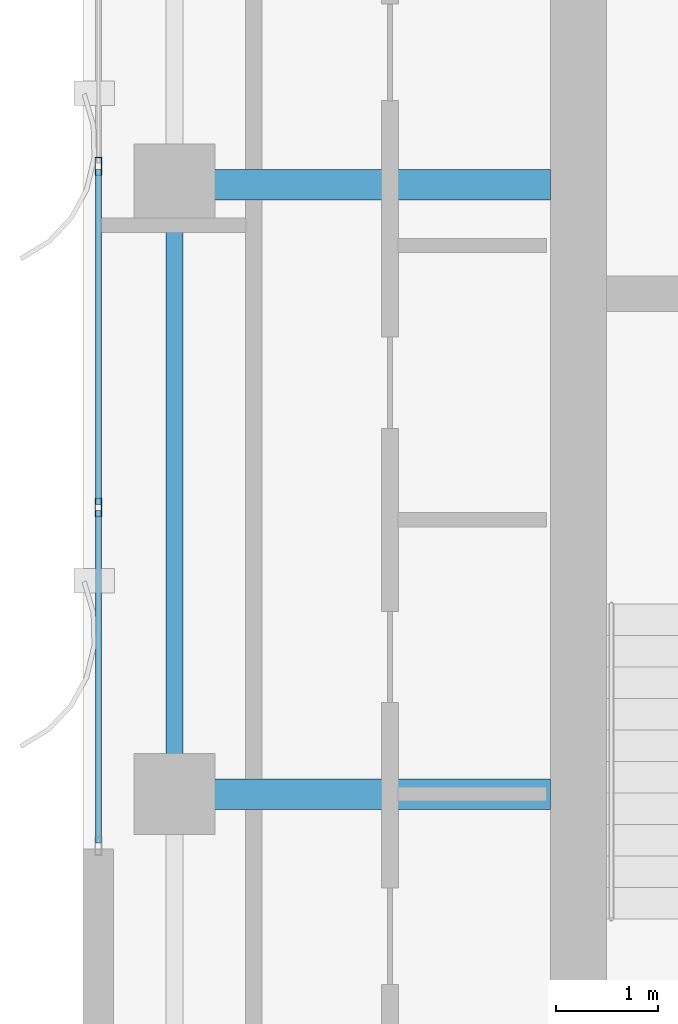
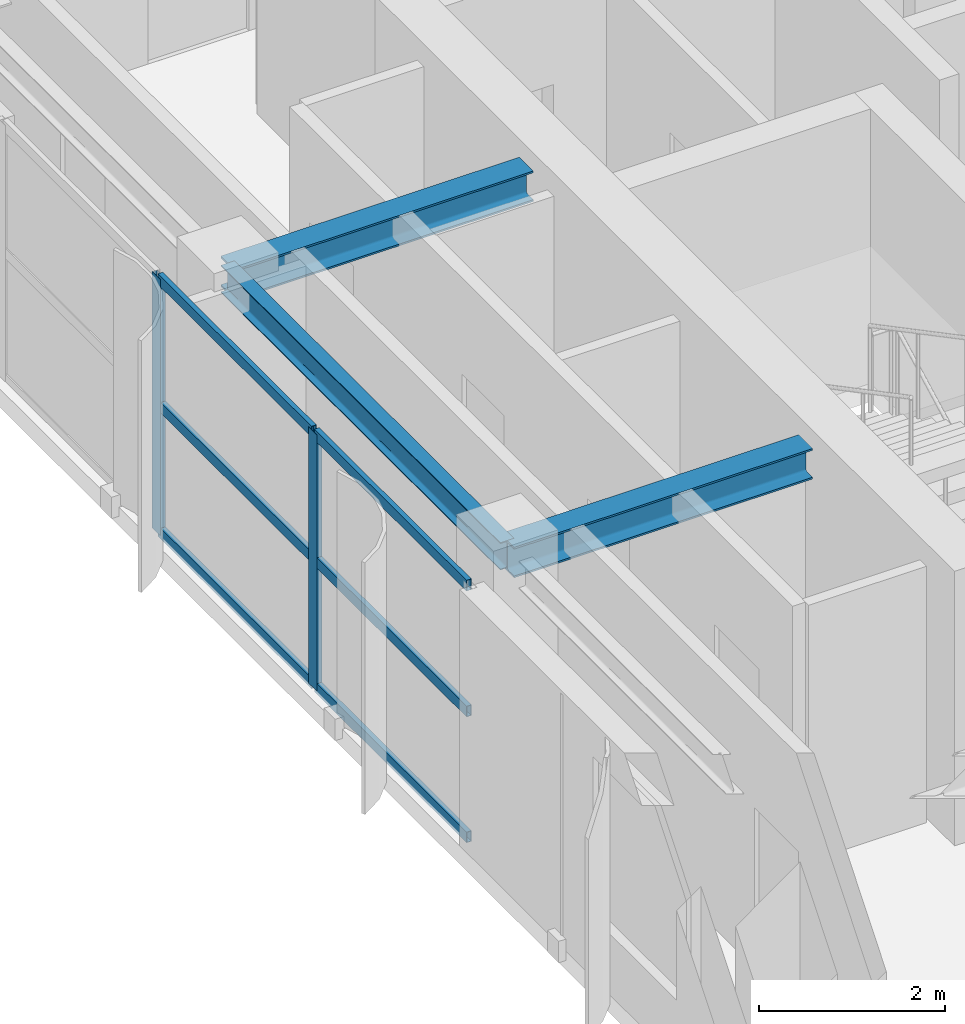
# One storey, part 6 of 22: 8 members, 3 beams, 1 element without a shape of its own.
"""IFC4 building model written with IfcOpenShell, lengths in metres."""

import ifcopenshell
import ifcopenshell.guid

model = None  # the IFC model being written
_history = None  # IfcOwnerHistory: only IFC2X3 demands one
_inside = {}  # id of a spatial element -> (the spatial element, [elements in it])
_under = {}  # id of a project, library or spatial element -> (it, [spatial elements below it])
_declared = {}  # id of a project -> (the project, [libraries it declares])
_typed = {}  # id of a type object -> (the type object, [elements of that type])
_made_of = {}  # id of a material, layer set ... -> (it, [elements and type objects made of it])


def new_model(schema):
    """Start an empty IFC model of exactly this schema.

    Asked for "IFC4X3", IfcOpenShell would pick the latest addendum, in which some entities
    have other attributes; the version numbers below select the first issue.
    IFC2X3 requires an IfcOwnerHistory on every rooted entity: one is made here for all.
    """
    global model, _history
    if schema == "IFC4X3":
        model = ifcopenshell.file(schema_version=(4, 3, 0, 0))
    else:
        model = ifcopenshell.file(schema=schema)
    _inside.clear()
    _under.clear()
    _declared.clear()
    _typed.clear()
    _made_of.clear()
    _history = None
    if model.schema == "IFC2X3":
        org = make("IfcOrganization", Name="unknown")
        user = make(
            "IfcPersonAndOrganization",
            ThePerson=make("IfcPerson", FamilyName="unknown"),
            TheOrganization=org,
        )
        app = make(
            "IfcApplication",
            ApplicationDeveloper=org,
            Version="unknown",
            ApplicationFullName="unknown",
            ApplicationIdentifier="unknown",
        )
        _history = make(
            "IfcOwnerHistory",
            OwningUser=user,
            OwningApplication=app,
            ChangeAction="ADDED",
            CreationDate=0,
        )
    return model


def make(cls, **values):
    """One entity of the class cls with the attributes given. An attribute that is None is left unset."""
    return model.create_entity(
        cls, **{name: value for name, value in values.items() if value is not None}
    )


def rooted(cls, **values):
    """An entity with a GlobalId (a new one), such as an element, a storey or a relation."""
    return make(cls, GlobalId=ifcopenshell.guid.new(), OwnerHistory=_history, **values)


def si_unit(unit_type, name, prefix=None):
    """IfcSIUnit, for example si_unit("LENGTHUNIT", "METRE", prefix="MILLI")."""
    return make("IfcSIUnit", UnitType=unit_type, Prefix=prefix, Name=name)


def assignment(units):
    """IfcUnitAssignment: the units of a project."""
    return None if units is None else make("IfcUnitAssignment", Units=units)


def point(xyz):
    """IfcCartesianPoint."""
    return None if xyz is None else make("IfcCartesianPoint", Coordinates=xyz)


def direction(xyz):
    """IfcDirection."""
    return None if xyz is None else make("IfcDirection", DirectionRatios=xyz)


def frame(location, z_axis=None, x_axis=None):
    """IfcAxis2Placement3D, a coordinate frame: its origin and axes. An axis left out is left unset."""
    return make(
        "IfcAxis2Placement3D",
        Location=point(location),
        Axis=direction(z_axis),
        RefDirection=direction(x_axis),
    )


def frame_2d(location, x_axis=None):
    """IfcAxis2Placement2D, a coordinate frame in the plane: its origin and x axis."""
    return make(
        "IfcAxis2Placement2D", Location=point(location), RefDirection=direction(x_axis)
    )


def origin():
    """The frame at (0, 0, 0) with its axes left unset."""
    return frame((0.0, 0.0, 0.0))


def origin_2d():
    """The frame at (0, 0) in the plane with its x axis left unset."""
    return frame_2d((0.0, 0.0))


def place(relative_to, where):
    """IfcLocalPlacement: puts the frame where relative to a parent placement (None: the world)."""
    return make(
        "IfcLocalPlacement", PlacementRelTo=relative_to, RelativePlacement=where
    )


def context(
    kind, dimensions, precision=None, world=None, true_north=None, identifier=None
):
    """IfcGeometricRepresentationContext, for example the 3D "Model" context."""
    return make(
        "IfcGeometricRepresentationContext",
        ContextIdentifier=identifier,
        ContextType=kind,
        CoordinateSpaceDimension=dimensions,
        Precision=precision,
        WorldCoordinateSystem=world,
        TrueNorth=true_north,
    )


def subcontext(parent, identifier, kind, view, scale=None):
    """IfcGeometricRepresentationSubContext, for example "Body" below "Model"."""
    return make(
        "IfcGeometricRepresentationSubContext",
        ContextIdentifier=identifier,
        ContextType=kind,
        ParentContext=parent,
        TargetScale=scale,
        TargetView=view,
    )


def project(units=None, contexts=None):
    """IfcProject with its units and contexts."""
    return rooted(
        "IfcProject",
        Name="project",
        RepresentationContexts=contexts,
        UnitsInContext=assignment(units),
    )


def spatial(cls, under=None, at=None, **own):
    """A site, building, storey or space (cls), placed at a placement, below another one or the project."""
    s = rooted(cls, ObjectPlacement=at, **own)
    if under is not None:
        _under.setdefault(under.id(), (under, []))[1].append(s)
    return s


def profile(cls, at=None, kind="AREA", **sizes):
    """A parametric profile (cls). Its sizes go by their IFC names, for example OverallWidth=200.0."""
    return make(cls, ProfileType=kind, Position=at, **sizes)


def hollow_rectangle(**sizes):
    """IfcRectangleHollowProfileDef."""
    return profile("IfcRectangleHollowProfileDef", **sizes)


def i_section(**sizes):
    """IfcIShapeProfileDef."""
    return profile("IfcIShapeProfileDef", **sizes)


def extrude(swept, where, along, depth):
    """IfcExtrudedAreaSolid: the profile swept, set in the frame where, extruded along a direction by depth."""
    return make(
        "IfcExtrudedAreaSolid",
        SweptArea=swept,
        Position=where,
        ExtrudedDirection=direction(along),
        Depth=depth,
    )


def shape(context_of_items, identifier, shape_type, items):
    """IfcShapeRepresentation: the items that make up one representation, for example the "Body"."""
    return make(
        "IfcShapeRepresentation",
        ContextOfItems=context_of_items,
        RepresentationIdentifier=identifier,
        RepresentationType=shape_type,
        Items=items,
    )


def source(mapping_origin, context_of_items, identifier, shape_type, items):
    """IfcRepresentationMap: a shape defined once, which mapped items show again and again."""
    return make(
        "IfcRepresentationMap",
        MappingOrigin=mapping_origin,
        MappedRepresentation=shape(context_of_items, identifier, shape_type, items),
    )


def transform(
    local_origin,
    x_axis=None,
    y_axis=None,
    z_axis=None,
    scale=None,
    scale2=None,
    scale3=None,
    uniform=True,
):
    """IfcCartesianTransformationOperator3D, or its non-uniform kind. x_axis, y_axis, z_axis: its Axis1, 2, 3."""
    if uniform:
        return make(
            "IfcCartesianTransformationOperator3D",
            Axis1=direction(x_axis),
            Axis2=direction(y_axis),
            LocalOrigin=point(local_origin),
            Scale=scale,
            Axis3=direction(z_axis),
        )
    return make(
        "IfcCartesianTransformationOperator3DnonUniform",
        Axis1=direction(x_axis),
        Axis2=direction(y_axis),
        LocalOrigin=point(local_origin),
        Scale=scale,
        Axis3=direction(z_axis),
        Scale2=scale2,
        Scale3=scale3,
    )


def mapped(mapping_source, mapping_target):
    """IfcMappedItem: shows the shape of a source again, moved by a transform."""
    return make(
        "IfcMappedItem", MappingSource=mapping_source, MappingTarget=mapping_target
    )


def material(Name=None, Category=None):
    """IfcMaterial."""
    return make("IfcMaterial", Name=Name, Category=Category)


def layer(
    of_material, thickness, ventilated=None, Name=None, Category=None, Priority=None
):
    """IfcMaterialLayer: one layer of a wall or slab, of a material (None: an air gap)."""
    return make(
        "IfcMaterialLayer",
        Material=of_material,
        LayerThickness=thickness,
        IsVentilated=ventilated,
        Name=Name,
        Category=Category,
        Priority=Priority,
    )


def layer_set(layers, Name=None):
    """IfcMaterialLayerSet."""
    return make("IfcMaterialLayerSet", MaterialLayers=layers, LayerSetName=Name)


def material_profile(
    of_material, cross_section, Name=None, Category=None, Priority=None
):
    """IfcMaterialProfile: a cross section and its material."""
    return make(
        "IfcMaterialProfile",
        Name=Name,
        Material=of_material,
        Profile=cross_section,
        Priority=Priority,
        Category=Category,
    )


def profile_set(profiles, Name=None, composite=None):
    """IfcMaterialProfileSet."""
    return make(
        "IfcMaterialProfileSet",
        Name=Name,
        MaterialProfiles=profiles,
        CompositeProfile=composite,
    )


def made_of(thing, what):
    """Note that an element or type object is made of a material, layer set ...; save() writes the relation."""
    if what is not None:
        _made_of.setdefault(what.id(), (what, []))[1].append(thing)
    return thing


def type_object(cls, material=None, **own):
    """A type object (cls), such as IfcWallType, which elements share."""
    return made_of(rooted(cls, **own), material)


def element(
    cls,
    number,
    at=None,
    inside=None,
    cuts=None,
    type_object=None,
    material=None,
    context=None,
    identifier="Body",
    shape_type=None,
    held_by="IfcProductDefinitionShape",
    body=None,
    shapes=None,
    **own,
):
    """One element of the class cls, such as IfcWall. Its Tag is "e" and its number.

    at: its placement. inside: the storey or other place that contains it. cuts: it is an
    opening in that element (IfcRelVoidsElement). A single representation is given by context,
    identifier, shape_type and body (its items); several are given by shapes. held_by: the class
    of the entity that holds the representations. save() writes the other relations.
    """
    e = rooted(cls, Tag="e%d" % number, ObjectPlacement=at, **own)
    if body is not None:
        shapes = [shape(context, identifier, shape_type, body)]
    if shapes is not None:
        e.Representation = make(held_by, Representations=shapes)
    if inside is not None:
        _inside.setdefault(inside.id(), (inside, []))[1].append(e)
    if cuts is not None:
        rooted(
            "IfcRelVoidsElement", RelatingBuildingElement=cuts, RelatedOpeningElement=e
        )
    if type_object is not None:
        _typed.setdefault(type_object.id(), (type_object, []))[1].append(e)
    return made_of(e, material)


def aggregate(whole, parts):
    """IfcRelAggregates: a whole, such as a stair, and the parts it consists of."""
    return rooted("IfcRelAggregates", RelatingObject=whole, RelatedObjects=parts)


def save(model, path):
    """Write the relations noted so far, then the file.

    IfcRelAggregates (storeys below a building ...), IfcRelContainedInSpatialStructure (elements
    in a storey), IfcRelDefinesByType, IfcRelAssociatesMaterial and IfcRelDeclares: one each for
    every whole, place, type object, material and project.
    """
    for whole, parts in _under.values():
        aggregate(whole, parts)
    for where, things in _inside.values():
        rooted(
            "IfcRelContainedInSpatialStructure",
            RelatedElements=things,
            RelatingStructure=where,
        )
    for kind, things in _typed.values():
        rooted("IfcRelDefinesByType", RelatedObjects=things, RelatingType=kind)
    for what, things in _made_of.values():
        rooted("IfcRelAssociatesMaterial", RelatedObjects=things, RelatingMaterial=what)
    for by, libraries in _declared.values():
        rooted("IfcRelDeclares", RelatingContext=by, RelatedDefinitions=libraries)
    model.write(path)


model = new_model("IFC4")

# Units and contexts
model_context = context("Model", 3, precision=1e-05, world=origin(), true_north=direction((0.0, 1.0)))
body_context = subcontext(model_context, "Body", "Model", "MODEL_VIEW")
ifc_project = project(units=[si_unit("LENGTHUNIT", "METRE"), si_unit("AREAUNIT", "SQUARE_METRE"), si_unit("VOLUMEUNIT", "CUBIC_METRE"), si_unit("PLANEANGLEUNIT", "RADIAN"), si_unit("MASSUNIT", "GRAM", prefix="KILO")], contexts=[model_context])

# Site, building, storey
site_placement = place(None, origin())
site = spatial("IfcSite", under=ifc_project, at=site_placement, CompositionType="ELEMENT")
building_placement = place(site_placement, origin())
building = spatial("IfcBuilding", under=site, at=building_placement, Name="Khoralis Quay Care Tower", CompositionType="ELEMENT")
storey_placement = place(building_placement, frame((0.0, 0.0, 256.5)))
storey = spatial("IfcBuildingStorey", under=building, at=storey_placement, Name="L67", CompositionType="ELEMENT", Elevation=256.5)

# Beams
ifc_material_1 = material(Name="Steel S355", Category="steel")
ifc_material_profile_1 = material_profile(ifc_material_1, i_section(OverallWidth=0.169921875, OverallDepth=0.360107421875, WebThickness=0.008056640625, FlangeThickness=0.0126953125, FilletRadius=0.01806640625, at=origin_2d()), Name="Steel S355")
ifc_profile_set_1 = profile_set([ifc_material_profile_1], Name="Steel S355")
beam_type_1 = type_object("IfcBeamType", Name="BM-IPE360", PredefinedType="SPANDREL", material=ifc_profile_set_1)
shared_shape_1 = source(origin(), body_context, "Body", "SweptSolid", [
    extrude(i_section(OverallWidth=0.169921875, OverallDepth=0.360107421875, WebThickness=0.008056640625, FlangeThickness=0.0126953125, FilletRadius=0.01806640625, at=origin_2d()), origin(), (0.0, 0.0, 1.0), 6.0),
])
beam_placement = place(storey_placement, frame((3.89990234375, 18.0, 3.179931640625), z_axis=(0.0, 1.0, 0.0), x_axis=(-1.0, 0.0, 0.0)))
element("IfcBeam", 1, at=beam_placement, inside=storey, type_object=beam_type_1, Name="BM-TSP-L67-06", PredefinedType="SPANDREL", context=body_context, shape_type="MappedRepresentation", body=[
    mapped(shared_shape_1, transform((0.0, 0.0, 0.0), scale=1.0)),
])
ifc_material_profile_2 = material_profile(ifc_material_1, i_section(OverallWidth=0.300048828125, OverallDepth=0.39990234375, WebThickness=0.013427734375, FlangeThickness=0.02392578125, FilletRadius=0.027099609375, at=origin_2d()), Name="Steel S355")
ifc_profile_set_2 = profile_set([ifc_material_profile_2], Name="Steel S355")
beam_type_2 = type_object("IfcBeamType", Name="BM-HEB400", PredefinedType="BEAM", material=ifc_profile_set_2)
shared_shape_2 = source(origin(), body_context, "Body", "SweptSolid", [
    extrude(i_section(OverallWidth=0.300048828125, OverallDepth=0.39990234375, WebThickness=0.013427734375, FlangeThickness=0.02392578125, FilletRadius=0.027099609375, at=origin_2d()), origin(), (0.0, 0.0, 1.0), 3.7021484375),
])
for number, where, z_axis, x_axis, name in (
    (2, (3.89990234375, 18.0, 3.159912109375), (1.0, 0.0, 0.0), (0.0, 1.0, 0.0), "BM-TGXW-L67-180"),
    (3, (3.89990234375, 24.0, 3.159912109375), (1.0, 0.0, 0.0), (0.0, 1.0, 0.0), "BM-TGXW-L67-240"),
):
    element("IfcBeam", number, at=place(storey_placement, frame(where, z_axis=z_axis, x_axis=x_axis)), inside=storey, type_object=beam_type_2, Name=name, PredefinedType="BEAM", context=body_context, shape_type="MappedRepresentation", body=[
        mapped(shared_shape_2, transform((0.0, 0.0, 0.0), scale=1.0)),
    ])

# Curtain wall, members
ifc_material_2 = material(Name="Pale anodised aluminium", Category="aluminium")
ifc_layer = layer(ifc_material_2, 0.159912109375)
ifc_layer_set = layer_set([ifc_layer], Name="Pale anodised aluminium")
curtain_wall_type = type_object("IfcCurtainWallType", Name="CW-SYS-Z3", PredefinedType="NOTDEFINED", material=ifc_layer_set)
curtain_wall_placement = place(storey_placement, origin())
curtain_wall = element("IfcCurtainWall", 4, at=curtain_wall_placement, inside=storey, type_object=curtain_wall_type, Name="L67 Unitised Curtain Wall CW-L67-P1-E7", PredefinedType="NOTDEFINED")
ifc_material_profile_3 = material_profile(ifc_material_2, hollow_rectangle(XDim=0.06494140625, YDim=0.179931640625, WallThickness=0.00390625, at=origin_2d()), Name="Pale anodised aluminium")
ifc_profile_set_3 = profile_set([ifc_material_profile_3], Name="Pale anodised aluminium")
member_type_1 = type_object("IfcMemberType", Name="CW-MUL-180", PredefinedType="MULLION", material=ifc_profile_set_3)
shared_shape_3 = source(origin(), body_context, "Body", "SweptSolid", [
    extrude(hollow_rectangle(XDim=0.06494140625, YDim=0.179931640625, WallThickness=0.00390625, at=origin_2d()), origin(), (0.0, 0.0, 1.0), 3.360107421875),
])
member_1_placement = place(storey_placement, frame((3.14990234375, 24.179931640625, 0.0), z_axis=(0.0, 0.0, 1.0), x_axis=(1.0, 0.0, 0.0)))
member_1 = element("IfcMember", 5, at=member_1_placement, type_object=member_type_1, Name="CW3 mullion 2", PredefinedType="MULLION", context=body_context, shape_type="MappedRepresentation", body=[
    mapped(shared_shape_3, transform((0.0, 0.0, 0.0), scale=1.0)),
])
member_2_placement = place(storey_placement, frame((3.14990234375, 20.820068359375, 0.0), z_axis=(0.0, 0.0, 1.0), x_axis=(1.0, 0.0, 0.0)))
member_2 = element("IfcMember", 6, at=member_2_placement, type_object=member_type_1, Name="CW3 mullion 3", PredefinedType="MULLION", context=body_context, shape_type="MappedRepresentation", body=[
    mapped(shared_shape_3, transform((0.0, 0.0, 0.0), scale=1.0)),
])
ifc_material_profile_4 = material_profile(ifc_material_2, hollow_rectangle(XDim=0.06005859375, YDim=0.139892578125, WallThickness=0.00390625, at=origin_2d()), Name="Pale anodised aluminium")
ifc_profile_set_4 = profile_set([ifc_material_profile_4], Name="Pale anodised aluminium")
member_type_2 = type_object("IfcMemberType", Name="CW-TRN-140", PredefinedType="USERDEFINED", material=ifc_profile_set_4)
shared_shape_4 = source(origin(), body_context, "Body", "SweptSolid", [
    extrude(hollow_rectangle(XDim=0.06005859375, YDim=0.139892578125, WallThickness=0.00390625, at=origin_2d()), origin(), (0.0, 0.0, 1.0), 3.27001953125),
])
member_3_placement = place(storey_placement, frame((3.14990234375, 20.7900390625, 0.030029296875), z_axis=(0.0, -1.0, 0.0), x_axis=(1.0, 0.0, 0.0)))
member_3 = element("IfcMember", 7, at=member_3_placement, type_object=member_type_2, Name="CW3 transom 3.1", ObjectType="TRANSOM", PredefinedType="USERDEFINED", context=body_context, shape_type="MappedRepresentation", body=[
    mapped(shared_shape_4, transform((0.0, 0.0, 0.0), scale=1.0)),
])
member_4_placement = place(storey_placement, frame((3.14990234375, 20.7900390625, 1.679931640625), z_axis=(0.0, -1.0, 0.0), x_axis=(1.0, 0.0, 0.0)))
member_4 = element("IfcMember", 8, at=member_4_placement, type_object=member_type_2, Name="CW3 transom 3.2", ObjectType="TRANSOM", PredefinedType="USERDEFINED", context=body_context, shape_type="MappedRepresentation", body=[
    mapped(shared_shape_4, transform((0.0, 0.0, 0.0), scale=1.0)),
])
member_5_placement = place(storey_placement, frame((3.14990234375, 20.7900390625, 3.330078125), z_axis=(0.0, -1.0, 0.0), x_axis=(1.0, 0.0, 0.0)))
member_5 = element("IfcMember", 9, at=member_5_placement, type_object=member_type_2, Name="CW3 transom 3.3", ObjectType="TRANSOM", PredefinedType="USERDEFINED", context=body_context, shape_type="MappedRepresentation", body=[
    mapped(shared_shape_4, transform((0.0, 0.0, 0.0), scale=1.0)),
])
shared_shape_5 = source(origin(), body_context, "Body", "SweptSolid", [
    extrude(hollow_rectangle(XDim=0.06005859375, YDim=0.139892578125, WallThickness=0.00390625, at=origin_2d()), origin(), (0.0, 0.0, 1.0), 3.2998046875),
])
member_6_placement = place(storey_placement, frame((3.14990234375, 24.14990234375, 0.030029296875), z_axis=(0.0, -1.0, 0.0), x_axis=(1.0, 0.0, 0.0)))
member_6 = element("IfcMember", 10, at=member_6_placement, type_object=member_type_2, Name="CW3 transom 2.1", ObjectType="TRANSOM", PredefinedType="USERDEFINED", context=body_context, shape_type="MappedRepresentation", body=[
    mapped(shared_shape_5, transform((0.0, 0.0, 0.0), scale=1.0)),
])
member_7_placement = place(storey_placement, frame((3.14990234375, 24.14990234375, 1.679931640625), z_axis=(0.0, -1.0, 0.0), x_axis=(1.0, 0.0, 0.0)))
member_7 = element("IfcMember", 11, at=member_7_placement, type_object=member_type_2, Name="CW3 transom 2.2", ObjectType="TRANSOM", PredefinedType="USERDEFINED", context=body_context, shape_type="MappedRepresentation", body=[
    mapped(shared_shape_5, transform((0.0, 0.0, 0.0), scale=1.0)),
])
member_8_placement = place(storey_placement, frame((3.14990234375, 24.14990234375, 3.330078125), z_axis=(0.0, -1.0, 0.0), x_axis=(1.0, 0.0, 0.0)))
member_8 = element("IfcMember", 12, at=member_8_placement, type_object=member_type_2, Name="CW3 transom 2.3", ObjectType="TRANSOM", PredefinedType="USERDEFINED", context=body_context, shape_type="MappedRepresentation", body=[
    mapped(shared_shape_5, transform((0.0, 0.0, 0.0), scale=1.0)),
])
aggregate(curtain_wall, [member_1, member_2, member_6, member_7, member_8, member_3, member_4, member_5])

save(model, "model.ifc")
